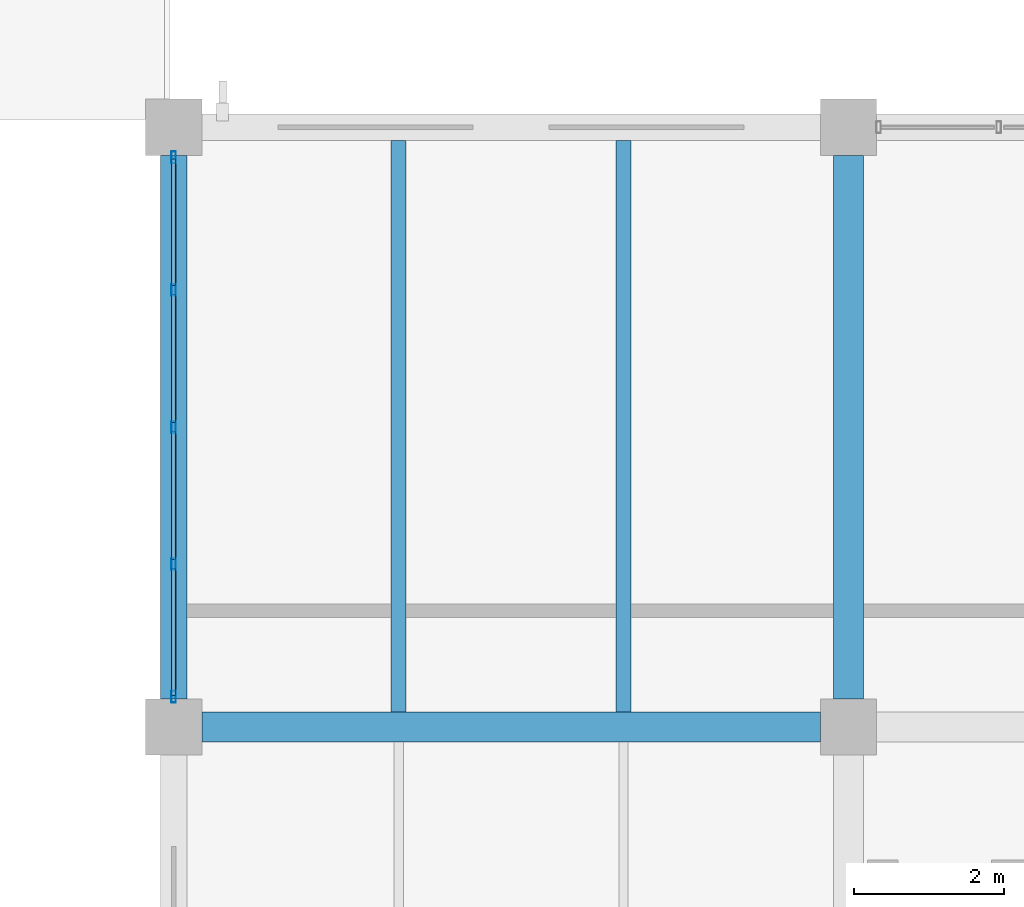
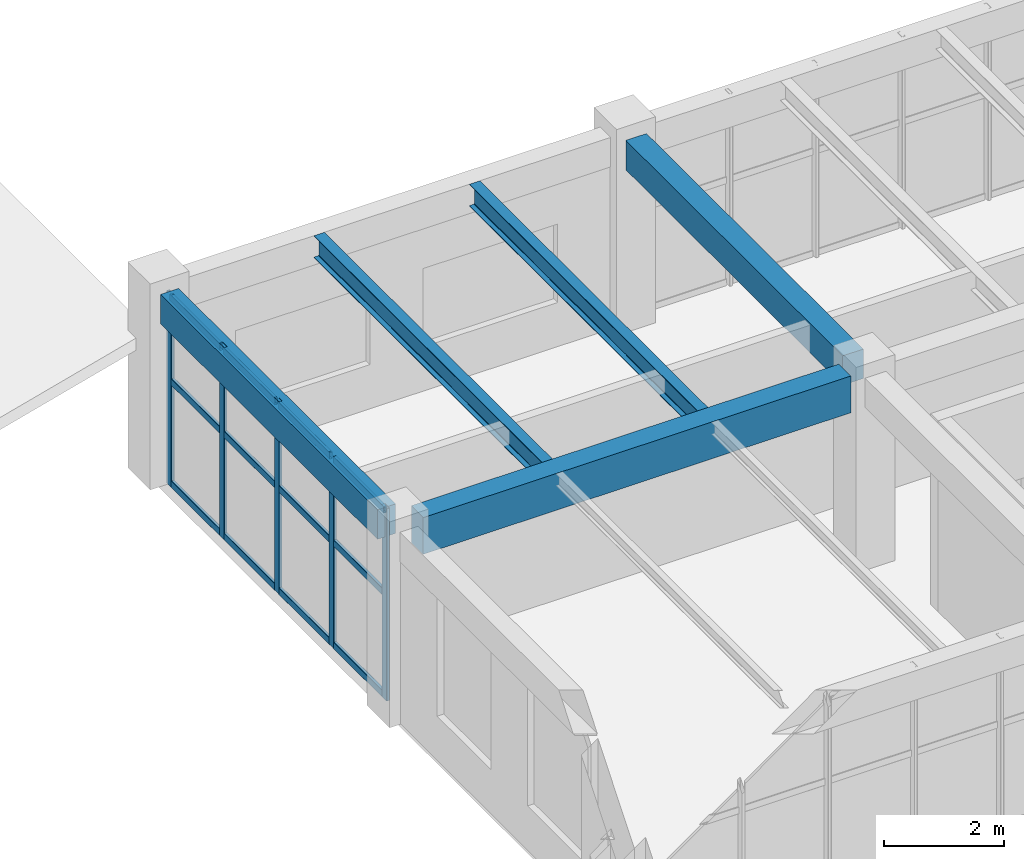
# One storey, part 43 of 148: 17 members, 5 beams, 1 element without a shape of its own.
"""IFC4 building model written with IfcOpenShell, lengths in metres."""

from ifc_helpers import new_model, si_unit, derived_unit, direction, frame, origin, origin_2d, place, context, subcontext, project, spatial, rectangle, hollow_rectangle, i_section, extrude, material, material_profile, profile_set, type_object, element, aggregate, save


model = new_model("IFC4")

# Units and contexts
model_context = context("Model", 3, precision=1e-05, world=origin(), true_north=direction((0.0, 1.0)))
body_context = subcontext(model_context, "Body", "Model", "MODEL_VIEW")
ifc_project = project(units=[si_unit("LENGTHUNIT", "METRE"), si_unit("AREAUNIT", "SQUARE_METRE"), si_unit("VOLUMEUNIT", "CUBIC_METRE"), si_unit("PLANEANGLEUNIT", "RADIAN"), si_unit("MASSUNIT", "GRAM", prefix="KILO"), derived_unit("THERMALTRANSMITTANCEUNIT", [(si_unit("MASSUNIT", "GRAM", prefix="KILO"), 1), (si_unit("TIMEUNIT", "SECOND"), -3), (si_unit("THERMODYNAMICTEMPERATUREUNIT", "KELVIN"), -1)])], contexts=[model_context])

# Site, building, storey
site_placement = place(None, origin())
site = spatial("IfcSite", under=ifc_project, at=site_placement, CompositionType="ELEMENT")
building_placement = place(site_placement, origin())
building = spatial("IfcBuilding", under=site, at=building_placement, Name="Zhenchuan Archway Interchange", CompositionType="ELEMENT")
storey_placement = place(building_placement, frame((0.0, 0.0, 10.199951171875)))
storey = spatial("IfcBuildingStorey", under=building, at=storey_placement, Name="L02", CompositionType="ELEMENT", Elevation=10.199951171875)

# Beams
ifc_material_1 = material(Name="Concrete C40", Category="concrete")
ifc_material_profile_1 = material_profile(ifc_material_1, rectangle(XDim=0.39990234375, YDim=0.60009765625, at=origin_2d()), Name="RC 400x600")
ifc_profile_set_1 = profile_set([ifc_material_profile_1], Name="Concrete C40")
beam_type_1 = type_object("IfcBeamType", Name="BM_RC_400x600", PredefinedType="BEAM", material=ifc_profile_set_1)
beam_1_placement = place(storey_placement, frame((117.0, 16.375, 3.6201171875), z_axis=(0.0, 1.0, 0.0), x_axis=(-1.0, 0.0, 0.0)))
element("IfcBeam", 1, at=beam_1_placement, inside=storey, type_object=beam_type_1, Name="Beam 14:C-D (L02)", PredefinedType="BEAM", context=body_context, shape_type="SweptSolid", body=[
    extrude(rectangle(XDim=0.39990234375, YDim=0.60009765625, at=origin_2d()), origin(), (0.0, 0.0, 1.0), 7.25),
])
ifc_material_profile_2 = material_profile(ifc_material_1, rectangle(XDim=0.39990234375, YDim=0.75, at=origin_2d()), Name="RC 400x750")
ifc_profile_set_2 = profile_set([ifc_material_profile_2], Name="Concrete C40")
beam_type_2 = type_object("IfcBeamType", Name="BM_RC_400x750", PredefinedType="BEAM", material=ifc_profile_set_2)
beam_2_placement = place(storey_placement, frame((108.375, 16.0, 3.545166015625), z_axis=(1.0, 0.0, 0.0), x_axis=(0.0, 1.0, 0.0)))
element("IfcBeam", 2, at=beam_2_placement, inside=storey, type_object=beam_type_2, Name="Beam C:13-14 (L02)", PredefinedType="BEAM", context=body_context, shape_type="SweptSolid", body=[
    extrude(rectangle(XDim=0.39990234375, YDim=0.75, at=origin_2d()), origin(), (0.0, 0.0, 1.0), 8.25),
])

# Curtain wall, members
ifc_material_2 = material(Name="Anodised Aluminium", Category="aluminium")
curtain_wall_type = type_object("IfcCurtainWallType", Name="CW_UNIT_1", PredefinedType="NOTDEFINED", material=ifc_material_2)
curtain_wall_placement = place(storey_placement, origin())
curtain_wall = element("IfcCurtainWall", 3, at=curtain_wall_placement, inside=storey, type_object=curtain_wall_type, Name="Unitised curtain wall CW:L02:160", PredefinedType="NOTDEFINED")
ifc_material_profile_3 = material_profile(ifc_material_2, hollow_rectangle(XDim=0.06005859375, YDim=0.159912109375, WallThickness=0.00390625, InnerFilletRadius=0.00390625, OuterFilletRadius=0.008056640625, at=origin_2d()), Name="ALU 160x60x4")
ifc_profile_set_3 = profile_set([ifc_material_profile_3], Name="Anodised Aluminium")
member_type_1 = type_object("IfcMemberType", Name="CW_MUL_150", PredefinedType="MULLION", material=ifc_profile_set_3)
member_1_placement = place(storey_placement, frame((108.0, 16.403076171875, 0.0), z_axis=(0.0, 0.0, 1.0), x_axis=(1.0, 0.0, 0.0)))
member_1 = element("IfcMember", 4, at=member_1_placement, type_object=member_type_1, Name="CW:L02:160 mullion 0", PredefinedType="MULLION", context=body_context, shape_type="SweptSolid", body=[
    extrude(hollow_rectangle(XDim=0.06005859375, YDim=0.159912109375, WallThickness=0.00390625, InnerFilletRadius=0.00390625, OuterFilletRadius=0.008056640625, at=origin_2d()), origin(), (0.0, 0.0, 1.0), 3.920166015625),
])
member_2_placement = place(storey_placement, frame((108.0, 18.17138671875, 0.0), z_axis=(0.0, 0.0, 1.0), x_axis=(1.0, 0.0, 0.0)))
member_2 = element("IfcMember", 5, at=member_2_placement, type_object=member_type_1, Name="CW:L02:160 mullion 1", PredefinedType="MULLION", context=body_context, shape_type="SweptSolid", body=[
    extrude(hollow_rectangle(XDim=0.06005859375, YDim=0.159912109375, WallThickness=0.00390625, InnerFilletRadius=0.00390625, OuterFilletRadius=0.008056640625, at=origin_2d()), origin(), (0.0, 0.0, 1.0), 3.920166015625),
])
member_3_placement = place(storey_placement, frame((108.0, 20.0, 0.0), z_axis=(0.0, 0.0, 1.0), x_axis=(1.0, 0.0, 0.0)))
member_3 = element("IfcMember", 6, at=member_3_placement, type_object=member_type_1, Name="CW:L02:160 mullion 2", PredefinedType="MULLION", context=body_context, shape_type="SweptSolid", body=[
    extrude(hollow_rectangle(XDim=0.06005859375, YDim=0.159912109375, WallThickness=0.00390625, InnerFilletRadius=0.00390625, OuterFilletRadius=0.008056640625, at=origin_2d()), origin(), (0.0, 0.0, 1.0), 3.920166015625),
])
member_4_placement = place(storey_placement, frame((108.0, 21.82861328125, 0.0), z_axis=(0.0, 0.0, 1.0), x_axis=(1.0, 0.0, 0.0)))
member_4 = element("IfcMember", 7, at=member_4_placement, type_object=member_type_1, Name="CW:L02:160 mullion 3", PredefinedType="MULLION", context=body_context, shape_type="SweptSolid", body=[
    extrude(hollow_rectangle(XDim=0.06005859375, YDim=0.159912109375, WallThickness=0.00390625, InnerFilletRadius=0.00390625, OuterFilletRadius=0.008056640625, at=origin_2d()), origin(), (0.0, 0.0, 1.0), 3.920166015625),
])
member_5_placement = place(storey_placement, frame((108.0, 23.596923828125, 0.0), z_axis=(0.0, 0.0, 1.0), x_axis=(1.0, 0.0, 0.0)))
member_5 = element("IfcMember", 8, at=member_5_placement, type_object=member_type_1, Name="CW:L02:160 mullion 4", PredefinedType="MULLION", context=body_context, shape_type="SweptSolid", body=[
    extrude(hollow_rectangle(XDim=0.06005859375, YDim=0.159912109375, WallThickness=0.00390625, InnerFilletRadius=0.00390625, OuterFilletRadius=0.008056640625, at=origin_2d()), origin(), (0.0, 0.0, 1.0), 3.920166015625),
])
ifc_material_profile_4 = material_profile(ifc_material_2, hollow_rectangle(XDim=0.06005859375, YDim=0.139892578125, WallThickness=0.00341796875, InnerFilletRadius=0.00341796875, OuterFilletRadius=0.007080078125, at=origin_2d()), Name="ALU 140x60x3.5")
ifc_profile_set_4 = profile_set([ifc_material_profile_4], Name="Anodised Aluminium")
member_type_2 = type_object("IfcMemberType", Name="CW_TRN_140", PredefinedType="USERDEFINED", material=ifc_profile_set_4)
member_6_placement = place(storey_placement, frame((108.0, 16.423095703125, 0.06005859375), z_axis=(0.0, 1.0, 0.0), x_axis=(-1.0, 0.0, 0.0)))
member_6 = element("IfcMember", 9, at=member_6_placement, type_object=member_type_2, Name="CW:L02:160 transom 0-1", ObjectType="TRANSOM", PredefinedType="USERDEFINED", context=body_context, shape_type="SweptSolid", body=[
    extrude(hollow_rectangle(XDim=0.06005859375, YDim=0.139892578125, WallThickness=0.00341796875, InnerFilletRadius=0.00341796875, OuterFilletRadius=0.007080078125, at=origin_2d()), origin(), (0.0, 0.0, 1.0), 1.6884765625),
])
member_7_placement = place(storey_placement, frame((108.0, 16.423095703125, 2.14501953125), z_axis=(0.0, 1.0, 0.0), x_axis=(-1.0, 0.0, 0.0)))
member_7 = element("IfcMember", 10, at=member_7_placement, type_object=member_type_2, Name="CW:L02:160 transom 0-2", ObjectType="TRANSOM", PredefinedType="USERDEFINED", context=body_context, shape_type="SweptSolid", body=[
    extrude(hollow_rectangle(XDim=0.06005859375, YDim=0.139892578125, WallThickness=0.00341796875, InnerFilletRadius=0.00341796875, OuterFilletRadius=0.007080078125, at=origin_2d()), origin(), (0.0, 0.0, 1.0), 1.6884765625),
])
member_8_placement = place(storey_placement, frame((108.0, 16.423095703125, 3.840087890625), z_axis=(0.0, 1.0, 0.0), x_axis=(-1.0, 0.0, 0.0)))
member_8 = element("IfcMember", 11, at=member_8_placement, type_object=member_type_2, Name="CW:L02:160 transom 0-3", ObjectType="TRANSOM", PredefinedType="USERDEFINED", context=body_context, shape_type="SweptSolid", body=[
    extrude(hollow_rectangle(XDim=0.06005859375, YDim=0.139892578125, WallThickness=0.00341796875, InnerFilletRadius=0.00341796875, OuterFilletRadius=0.007080078125, at=origin_2d()), origin(), (0.0, 0.0, 1.0), 1.6884765625),
])
member_9_placement = place(storey_placement, frame((108.0, 18.2314453125, 0.06005859375), z_axis=(0.0, 1.0, 0.0), x_axis=(-1.0, 0.0, 0.0)))
member_9 = element("IfcMember", 12, at=member_9_placement, type_object=member_type_2, Name="CW:L02:160 transom 1-1", ObjectType="TRANSOM", PredefinedType="USERDEFINED", context=body_context, shape_type="SweptSolid", body=[
    extrude(hollow_rectangle(XDim=0.06005859375, YDim=0.139892578125, WallThickness=0.00341796875, InnerFilletRadius=0.00341796875, OuterFilletRadius=0.007080078125, at=origin_2d()), origin(), (0.0, 0.0, 1.0), 1.70849609375),
])
member_10_placement = place(storey_placement, frame((108.0, 18.2314453125, 2.14501953125), z_axis=(0.0, 1.0, 0.0), x_axis=(-1.0, 0.0, 0.0)))
member_10 = element("IfcMember", 13, at=member_10_placement, type_object=member_type_2, Name="CW:L02:160 transom 1-2", ObjectType="TRANSOM", PredefinedType="USERDEFINED", context=body_context, shape_type="SweptSolid", body=[
    extrude(hollow_rectangle(XDim=0.06005859375, YDim=0.139892578125, WallThickness=0.00341796875, InnerFilletRadius=0.00341796875, OuterFilletRadius=0.007080078125, at=origin_2d()), origin(), (0.0, 0.0, 1.0), 1.70849609375),
])
member_11_placement = place(storey_placement, frame((108.0, 18.2314453125, 3.840087890625), z_axis=(0.0, 1.0, 0.0), x_axis=(-1.0, 0.0, 0.0)))
member_11 = element("IfcMember", 14, at=member_11_placement, type_object=member_type_2, Name="CW:L02:160 transom 1-3", ObjectType="TRANSOM", PredefinedType="USERDEFINED", context=body_context, shape_type="SweptSolid", body=[
    extrude(hollow_rectangle(XDim=0.06005859375, YDim=0.139892578125, WallThickness=0.00341796875, InnerFilletRadius=0.00341796875, OuterFilletRadius=0.007080078125, at=origin_2d()), origin(), (0.0, 0.0, 1.0), 1.70849609375),
])
member_12_placement = place(storey_placement, frame((108.0, 20.06005859375, 0.06005859375), z_axis=(0.0, 1.0, 0.0), x_axis=(-1.0, 0.0, 0.0)))
member_12 = element("IfcMember", 15, at=member_12_placement, type_object=member_type_2, Name="CW:L02:160 transom 2-1", ObjectType="TRANSOM", PredefinedType="USERDEFINED", context=body_context, shape_type="SweptSolid", body=[
    extrude(hollow_rectangle(XDim=0.06005859375, YDim=0.139892578125, WallThickness=0.00341796875, InnerFilletRadius=0.00341796875, OuterFilletRadius=0.007080078125, at=origin_2d()), origin(), (0.0, 0.0, 1.0), 1.70849609375),
])
member_13_placement = place(storey_placement, frame((108.0, 20.06005859375, 2.14501953125), z_axis=(0.0, 1.0, 0.0), x_axis=(-1.0, 0.0, 0.0)))
member_13 = element("IfcMember", 16, at=member_13_placement, type_object=member_type_2, Name="CW:L02:160 transom 2-2", ObjectType="TRANSOM", PredefinedType="USERDEFINED", context=body_context, shape_type="SweptSolid", body=[
    extrude(hollow_rectangle(XDim=0.06005859375, YDim=0.139892578125, WallThickness=0.00341796875, InnerFilletRadius=0.00341796875, OuterFilletRadius=0.007080078125, at=origin_2d()), origin(), (0.0, 0.0, 1.0), 1.70849609375),
])
member_14_placement = place(storey_placement, frame((108.0, 20.06005859375, 3.840087890625), z_axis=(0.0, 1.0, 0.0), x_axis=(-1.0, 0.0, 0.0)))
member_14 = element("IfcMember", 17, at=member_14_placement, type_object=member_type_2, Name="CW:L02:160 transom 2-3", ObjectType="TRANSOM", PredefinedType="USERDEFINED", context=body_context, shape_type="SweptSolid", body=[
    extrude(hollow_rectangle(XDim=0.06005859375, YDim=0.139892578125, WallThickness=0.00341796875, InnerFilletRadius=0.00341796875, OuterFilletRadius=0.007080078125, at=origin_2d()), origin(), (0.0, 0.0, 1.0), 1.70849609375),
])
member_15_placement = place(storey_placement, frame((108.0, 21.888427734375, 0.06005859375), z_axis=(0.0, 1.0, 0.0), x_axis=(-1.0, 0.0, 0.0)))
member_15 = element("IfcMember", 18, at=member_15_placement, type_object=member_type_2, Name="CW:L02:160 transom 3-1", ObjectType="TRANSOM", PredefinedType="USERDEFINED", context=body_context, shape_type="SweptSolid", body=[
    extrude(hollow_rectangle(XDim=0.06005859375, YDim=0.139892578125, WallThickness=0.00341796875, InnerFilletRadius=0.00341796875, OuterFilletRadius=0.007080078125, at=origin_2d()), origin(), (0.0, 0.0, 1.0), 1.6884765625),
])
member_16_placement = place(storey_placement, frame((108.0, 21.888427734375, 2.14501953125), z_axis=(0.0, 1.0, 0.0), x_axis=(-1.0, 0.0, 0.0)))
member_16 = element("IfcMember", 19, at=member_16_placement, type_object=member_type_2, Name="CW:L02:160 transom 3-2", ObjectType="TRANSOM", PredefinedType="USERDEFINED", context=body_context, shape_type="SweptSolid", body=[
    extrude(hollow_rectangle(XDim=0.06005859375, YDim=0.139892578125, WallThickness=0.00341796875, InnerFilletRadius=0.00341796875, OuterFilletRadius=0.007080078125, at=origin_2d()), origin(), (0.0, 0.0, 1.0), 1.6884765625),
])
member_17_placement = place(storey_placement, frame((108.0, 21.888427734375, 3.840087890625), z_axis=(0.0, 1.0, 0.0), x_axis=(-1.0, 0.0, 0.0)))
member_17 = element("IfcMember", 20, at=member_17_placement, type_object=member_type_2, Name="CW:L02:160 transom 3-3", ObjectType="TRANSOM", PredefinedType="USERDEFINED", context=body_context, shape_type="SweptSolid", body=[
    extrude(hollow_rectangle(XDim=0.06005859375, YDim=0.139892578125, WallThickness=0.00341796875, InnerFilletRadius=0.00341796875, OuterFilletRadius=0.007080078125, at=origin_2d()), origin(), (0.0, 0.0, 1.0), 1.6884765625),
])
aggregate(curtain_wall, [member_1, member_2, member_3, member_4, member_5, member_6, member_7, member_8, member_9, member_10, member_11, member_12, member_13, member_14, member_15, member_16, member_17])

# Beams
ifc_material_3 = material(Name="Steel Q355", Category="steel")
ifc_material_profile_5 = material_profile(ifc_material_3, i_section(OverallWidth=0.199951171875, OverallDepth=0.449951171875, WebThickness=0.009033203125, FlangeThickness=0.013916015625, FilletRadius=0.01806640625, at=origin_2d()), Name="HN 450x200")
ifc_profile_set_5 = profile_set([ifc_material_profile_5], Name="Steel Q355")
beam_type_3 = type_object("IfcBeamType", Name="JST_STL_HN450", PredefinedType="JOIST", material=ifc_profile_set_5)
for number, where, z_axis, x_axis, name in (
    (21, (111.0, 16.199951171875, 3.695068359375), (0.0, 1.0, 0.0), (-1.0, 0.0, 0.0), "Secondary joist 13-14/C-D #1 (L02)"),
    (22, (114.0, 16.199951171875, 3.695068359375), (0.0, 1.0, 0.0), (-1.0, 0.0, 0.0), "Secondary joist 13-14/C-D #2 (L02)"),
):
    element("IfcBeam", number, at=place(storey_placement, frame(where, z_axis=z_axis, x_axis=x_axis)), inside=storey, type_object=beam_type_3, Name=name, PredefinedType="JOIST", context=body_context, shape_type="SweptSolid", body=[
        extrude(i_section(OverallWidth=0.199951171875, OverallDepth=0.449951171875, WebThickness=0.009033203125, FlangeThickness=0.013916015625, FilletRadius=0.01806640625, at=origin_2d()), origin(), (0.0, 0.0, 1.0), 7.625),
    ])
ifc_material_profile_6 = material_profile(ifc_material_1, rectangle(XDim=0.35009765625, YDim=0.60009765625, at=origin_2d()), Name="RC 350x600")
ifc_profile_set_6 = profile_set([ifc_material_profile_6], Name="Concrete C40")
beam_type_4 = type_object("IfcBeamType", Name="SP_RC_350x600", PredefinedType="SPANDREL", material=ifc_profile_set_6)
beam_3_placement = place(storey_placement, frame((108.0, 16.375, 3.6201171875), z_axis=(0.0, 1.0, 0.0), x_axis=(-1.0, 0.0, 0.0)))
element("IfcBeam", 23, at=beam_3_placement, inside=storey, type_object=beam_type_4, Name="Beam 13:C-D (L02)", PredefinedType="SPANDREL", context=body_context, shape_type="SweptSolid", body=[
    extrude(rectangle(XDim=0.35009765625, YDim=0.60009765625, at=origin_2d()), origin(), (0.0, 0.0, 1.0), 7.25),
])

save(model, "model.ifc")
